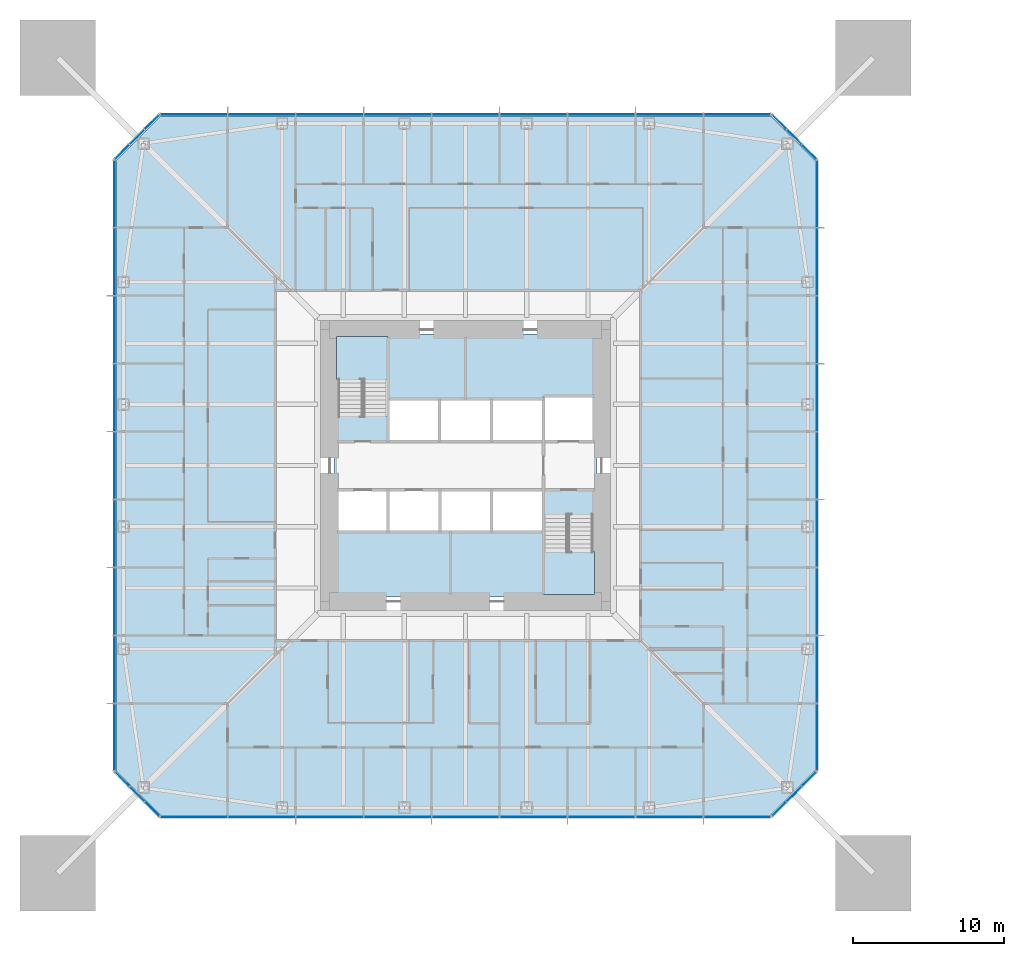
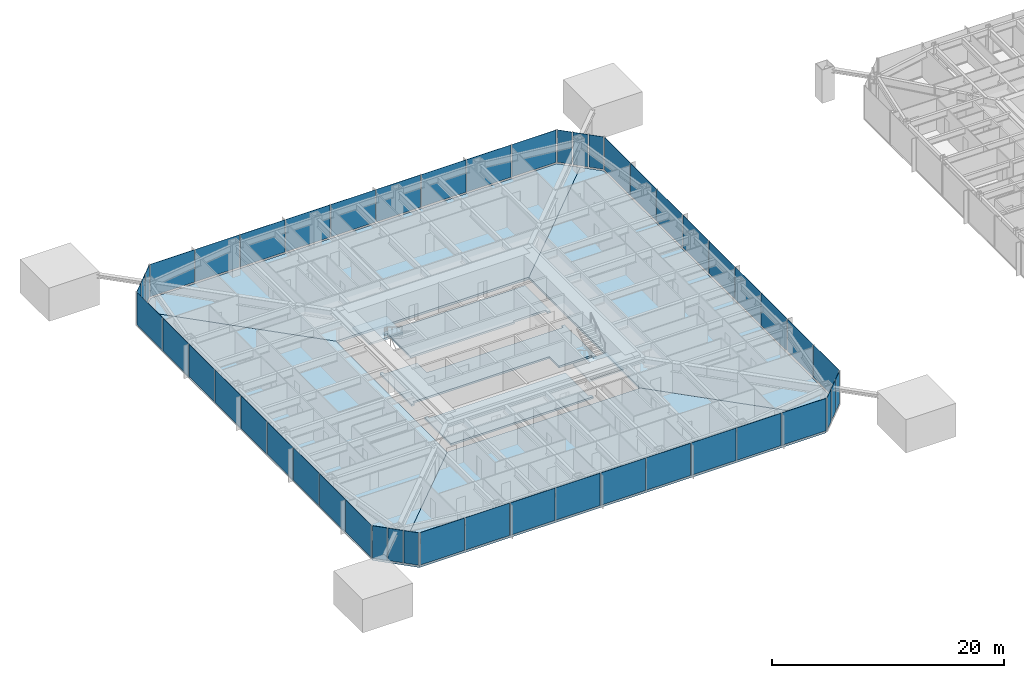
# One storey, part 12 of 26: 48 plates, 9 slabs, 10 elements without a shape of their own.
"""IFC4 building model written with IfcOpenShell, lengths in metres."""

from ifc_helpers import new_model, si_unit, direction, frame, origin, origin_2d, place, context, subcontext, project, spatial, polyline, rectangle, outline, extrude, material, layer, layer_set, constituent, constituent_set, type_object, element, aggregate, save


model = new_model("IFC4")

# Units and contexts
model_context = context("Model", 3, precision=1e-05, world=origin(), true_north=direction((0.0, 1.0)))
body_context = subcontext(model_context, "Body", "Model", "MODEL_VIEW")
ifc_project = project(units=[si_unit("LENGTHUNIT", "METRE"), si_unit("AREAUNIT", "SQUARE_METRE"), si_unit("VOLUMEUNIT", "CUBIC_METRE"), si_unit("PLANEANGLEUNIT", "RADIAN"), si_unit("MASSUNIT", "GRAM", prefix="KILO")], contexts=[model_context])

# Site, building, storey
site_placement = place(None, origin())
site = spatial("IfcSite", under=ifc_project, at=site_placement, CompositionType="ELEMENT")
building_placement = place(site_placement, origin())
building = spatial("IfcBuilding", under=site, at=building_placement, Name="Iwan Alto Co-Living Towers", CompositionType="ELEMENT")
storey_placement = place(building_placement, frame((0.0, 0.0, 50.0)))
storey = spatial("IfcBuildingStorey", under=building, at=storey_placement, Name="L13", CompositionType="ELEMENT", Elevation=50.0)

# Slabs
ifc_material_1 = material(Name="Concrete f'c 30 MPa", Category="concrete")
ifc_layer_1 = layer(ifc_material_1, 0.199951171875)
ifc_layer_set_1 = layer_set([ifc_layer_1], Name="CORE FLOOR SLAB 200")
slab_type_1 = type_object("IfcSlabType", Name="CORE FLOOR SLAB 200", PredefinedType="FLOOR", material=ifc_layer_set_1)
slab_1_placement = place(storey_placement, frame((0.0, 0.0, -0.199951171875)))
element("IfcSlab", 1, at=slab_1_placement, inside=storey, type_object=slab_type_1, Name="T1 core floor L13", PredefinedType="FLOOR", context=body_context, shape_type="SweptSolid", body=[
    extrude(outline(polyline([(8.699951171875, -3.580078125), (8.39990234375, -3.580078125), (8.39990234375, -3.27001953125), (5.14990234375, -3.27001953125), (5.14990234375, -1.60009765625), (1.72509765625, -1.60009765625), (-1.699951171875, -1.60009765625), (-5.125, -1.60009765625), (-8.39990234375, -1.60009765625), (-8.39990234375, -1.909912109375), (-8.699951171875, -1.909912109375), (-8.699951171875, 3.580078125), (-8.39990234375, 3.580078125), (-8.39990234375, 3.27001953125), (-5.14990234375, 3.27001953125), (-5.14990234375, 1.60009765625), (-1.717041015625, 1.60009765625), (1.717041015625, 1.60009765625), (5.14990234375, 1.60009765625), (8.39990234375, 1.60009765625), (8.39990234375, 1.909912109375), (8.699951171875, 1.909912109375), (8.699951171875, -3.580078125)])), origin(), (0.0, 0.0, 1.0), 0.199951171875),
])
slab_2_placement = place(storey_placement, frame((0.0, 0.0, -0.199951171875)))
element("IfcSlab", 2, at=slab_2_placement, inside=storey, type_object=slab_type_1, Name="T1 core floor L13", PredefinedType="FLOOR", context=body_context, shape_type="SweptSolid", body=[
    extrude(outline(polyline([(-1.699951171875, -4.39990234375), (1.72509765625, -4.39990234375), (5.14990234375, -4.39990234375), (5.14990234375, -8.39990234375), (5.4599609375, -8.39990234375), (5.4599609375, -8.699951171875), (-8.699951171875, -8.699951171875), (-8.699951171875, -4.090087890625), (-8.39990234375, -4.090087890625), (-8.39990234375, -4.39990234375), (-5.125, -4.39990234375), (-1.699951171875, -4.39990234375)])), origin(), (0.0, 0.0, 1.0), 0.199951171875),
])
slab_3_placement = place(storey_placement, frame((0.0, 0.0, -0.199951171875)))
element("IfcSlab", 3, at=slab_3_placement, inside=storey, type_object=slab_type_1, Name="T1 core floor L13", PredefinedType="FLOOR", context=body_context, shape_type="SweptSolid", body=[
    extrude(outline(polyline([(1.717041015625, 4.39990234375), (-1.717041015625, 4.39990234375), (-5.14990234375, 4.39990234375), (-5.14990234375, 8.39990234375), (-5.4599609375, 8.39990234375), (-5.4599609375, 8.699951171875), (8.699951171875, 8.699951171875), (8.699951171875, 4.2900390625), (8.39990234375, 4.2900390625), (8.39990234375, 4.60009765625), (5.14990234375, 4.60009765625), (5.14990234375, 4.39990234375), (1.717041015625, 4.39990234375)])), origin(), (0.0, 0.0, 1.0), 0.199951171875),
])

# Curtain wall, plates
ifc_material_2 = material(Name="Bronze aluminium unitised frame", Category="aluminium")
curtain_wall_type_1 = type_object("IfcCurtainWallType", Name="CURTAIN WALL CW-A", PredefinedType="NOTDEFINED", material=ifc_material_2)
curtain_wall_1_placement = place(storey_placement, origin())
curtain_wall_1 = element("IfcCurtainWall", 4, at=curtain_wall_1_placement, inside=storey, type_object=curtain_wall_type_1, Name="T1 curtain wall S L13", PredefinedType="NOTDEFINED")
ifc_material_3 = material(Name="Bronze-tinted insulating glass", Category="glass")
ifc_layer_2 = layer(ifc_material_3, 0.031982421875)
ifc_layer_set_2 = layer_set([ifc_layer_2], Name="CW-A PANEL TINTED IGU 32")
plate_type_1 = type_object("IfcPlateType", Name="CW-A PANEL TINTED IGU 32", PredefinedType="CURTAIN_PANEL", material=ifc_layer_set_2)
plate_1_placement = place(storey_placement, frame((-17.97998046875, -23.25, 0.10009765625), z_axis=(0.0, 0.0, 1.0), x_axis=(1.0, 0.0, 0.0)))
plate_1 = element("IfcPlate", 5, at=plate_1_placement, type_object=plate_type_1, Name="CW-A panel 1.1", PredefinedType="CURTAIN_PANEL", context=body_context, shape_type="SweptSolid", body=[
    extrude(rectangle(XDim=4.3798828125, YDim=0.031982421875, at=origin_2d()), origin(), (0.0, 0.0, 1.0), 3.39990234375),
])
plate_2_placement = place(storey_placement, frame((-13.5, -23.25, 0.10009765625), z_axis=(0.0, 0.0, 1.0), x_axis=(1.0, 0.0, 0.0)))
plate_2 = element("IfcPlate", 6, at=plate_2_placement, type_object=plate_type_1, Name="CW-A panel 2.1", PredefinedType="CURTAIN_PANEL", context=body_context, shape_type="SweptSolid", body=[
    extrude(rectangle(XDim=4.419921875, YDim=0.031982421875, at=origin_2d()), origin(), (0.0, 0.0, 1.0), 3.39990234375),
])
plate_3_placement = place(storey_placement, frame((-9.0, -23.25, 0.10009765625), z_axis=(0.0, 0.0, 1.0), x_axis=(1.0, 0.0, 0.0)))
plate_3 = element("IfcPlate", 7, at=plate_3_placement, type_object=plate_type_1, Name="CW-A panel 3.1", PredefinedType="CURTAIN_PANEL", context=body_context, shape_type="SweptSolid", body=[
    extrude(rectangle(XDim=4.419921875, YDim=0.031982421875, at=origin_2d()), origin(), (0.0, 0.0, 1.0), 3.39990234375),
])
plate_4_placement = place(storey_placement, frame((-4.5, -23.25, 0.10009765625), z_axis=(0.0, 0.0, 1.0), x_axis=(1.0, 0.0, 0.0)))
plate_4 = element("IfcPlate", 8, at=plate_4_placement, type_object=plate_type_1, Name="CW-A panel 4.1", PredefinedType="CURTAIN_PANEL", context=body_context, shape_type="SweptSolid", body=[
    extrude(rectangle(XDim=4.419921875, YDim=0.031982421875, at=origin_2d()), origin(), (0.0, 0.0, 1.0), 3.39990234375),
])
plate_5_placement = place(storey_placement, frame((0.0, -23.25, 0.10009765625), z_axis=(0.0, 0.0, 1.0), x_axis=(1.0, 0.0, 0.0)))
plate_5 = element("IfcPlate", 9, at=plate_5_placement, type_object=plate_type_1, Name="CW-A panel 5.1", PredefinedType="CURTAIN_PANEL", context=body_context, shape_type="SweptSolid", body=[
    extrude(rectangle(XDim=4.419921875, YDim=0.031982421875, at=origin_2d()), origin(), (0.0, 0.0, 1.0), 3.39990234375),
])
plate_6_placement = place(storey_placement, frame((4.5, -23.25, 0.10009765625), z_axis=(0.0, 0.0, 1.0), x_axis=(1.0, 0.0, 0.0)))
plate_6 = element("IfcPlate", 10, at=plate_6_placement, type_object=plate_type_1, Name="CW-A panel 6.1", PredefinedType="CURTAIN_PANEL", context=body_context, shape_type="SweptSolid", body=[
    extrude(rectangle(XDim=4.419921875, YDim=0.031982421875, at=origin_2d()), origin(), (0.0, 0.0, 1.0), 3.39990234375),
])
plate_7_placement = place(storey_placement, frame((9.0, -23.25, 0.10009765625), z_axis=(0.0, 0.0, 1.0), x_axis=(1.0, 0.0, 0.0)))
plate_7 = element("IfcPlate", 11, at=plate_7_placement, type_object=plate_type_1, Name="CW-A panel 7.1", PredefinedType="CURTAIN_PANEL", context=body_context, shape_type="SweptSolid", body=[
    extrude(rectangle(XDim=4.419921875, YDim=0.031982421875, at=origin_2d()), origin(), (0.0, 0.0, 1.0), 3.39990234375),
])
plate_8_placement = place(storey_placement, frame((13.5, -23.25, 0.10009765625), z_axis=(0.0, 0.0, 1.0), x_axis=(1.0, 0.0, 0.0)))
plate_8 = element("IfcPlate", 12, at=plate_8_placement, type_object=plate_type_1, Name="CW-A panel 8.1", PredefinedType="CURTAIN_PANEL", context=body_context, shape_type="SweptSolid", body=[
    extrude(rectangle(XDim=4.419921875, YDim=0.031982421875, at=origin_2d()), origin(), (0.0, 0.0, 1.0), 3.39990234375),
])
plate_9_placement = place(storey_placement, frame((17.97998046875, -23.25, 0.10009765625), z_axis=(0.0, 0.0, 1.0), x_axis=(1.0, 0.0, 0.0)))
plate_9 = element("IfcPlate", 13, at=plate_9_placement, type_object=plate_type_1, Name="CW-A panel 9.1", PredefinedType="CURTAIN_PANEL", context=body_context, shape_type="SweptSolid", body=[
    extrude(rectangle(XDim=4.3798828125, YDim=0.031982421875, at=origin_2d()), origin(), (0.0, 0.0, 1.0), 3.39990234375),
])
aggregate(curtain_wall_1, [plate_1, plate_2, plate_3, plate_4, plate_5, plate_6, plate_7, plate_8, plate_9])

curtain_wall_2_placement = place(storey_placement, origin())
curtain_wall_2 = element("IfcCurtainWall", 14, at=curtain_wall_2_placement, inside=storey, type_object=curtain_wall_type_1, Name="T1 curtain wall E L13", PredefinedType="NOTDEFINED")
plate_10_placement = place(storey_placement, frame((23.25, -17.97998046875, 0.10009765625), z_axis=(0.0, 0.0, 1.0), x_axis=(0.0, 1.0, 0.0)))
plate_10 = element("IfcPlate", 15, at=plate_10_placement, type_object=plate_type_1, Name="CW-A panel 1.1", PredefinedType="CURTAIN_PANEL", context=body_context, shape_type="SweptSolid", body=[
    extrude(rectangle(XDim=4.3798828125, YDim=0.031982421875, at=origin_2d()), origin(), (0.0, 0.0, 1.0), 3.39990234375),
])
plate_11_placement = place(storey_placement, frame((23.25, -13.5, 0.10009765625), z_axis=(0.0, 0.0, 1.0), x_axis=(0.0, 1.0, 0.0)))
plate_11 = element("IfcPlate", 16, at=plate_11_placement, type_object=plate_type_1, Name="CW-A panel 2.1", PredefinedType="CURTAIN_PANEL", context=body_context, shape_type="SweptSolid", body=[
    extrude(rectangle(XDim=4.419921875, YDim=0.031982421875, at=origin_2d()), origin(), (0.0, 0.0, 1.0), 3.39990234375),
])
plate_12_placement = place(storey_placement, frame((23.25, -9.0, 0.10009765625), z_axis=(0.0, 0.0, 1.0), x_axis=(0.0, 1.0, 0.0)))
plate_12 = element("IfcPlate", 17, at=plate_12_placement, type_object=plate_type_1, Name="CW-A panel 3.1", PredefinedType="CURTAIN_PANEL", context=body_context, shape_type="SweptSolid", body=[
    extrude(rectangle(XDim=4.419921875, YDim=0.031982421875, at=origin_2d()), origin(), (0.0, 0.0, 1.0), 3.39990234375),
])
plate_13_placement = place(storey_placement, frame((23.25, -4.5, 0.10009765625), z_axis=(0.0, 0.0, 1.0), x_axis=(0.0, 1.0, 0.0)))
plate_13 = element("IfcPlate", 18, at=plate_13_placement, type_object=plate_type_1, Name="CW-A panel 4.1", PredefinedType="CURTAIN_PANEL", context=body_context, shape_type="SweptSolid", body=[
    extrude(rectangle(XDim=4.419921875, YDim=0.031982421875, at=origin_2d()), origin(), (0.0, 0.0, 1.0), 3.39990234375),
])
plate_14_placement = place(storey_placement, frame((23.25, 0.0, 0.10009765625), z_axis=(0.0, 0.0, 1.0), x_axis=(0.0, 1.0, 0.0)))
plate_14 = element("IfcPlate", 19, at=plate_14_placement, type_object=plate_type_1, Name="CW-A panel 5.1", PredefinedType="CURTAIN_PANEL", context=body_context, shape_type="SweptSolid", body=[
    extrude(rectangle(XDim=4.419921875, YDim=0.031982421875, at=origin_2d()), origin(), (0.0, 0.0, 1.0), 3.39990234375),
])
plate_15_placement = place(storey_placement, frame((23.25, 4.5, 0.10009765625), z_axis=(0.0, 0.0, 1.0), x_axis=(0.0, 1.0, 0.0)))
plate_15 = element("IfcPlate", 20, at=plate_15_placement, type_object=plate_type_1, Name="CW-A panel 6.1", PredefinedType="CURTAIN_PANEL", context=body_context, shape_type="SweptSolid", body=[
    extrude(rectangle(XDim=4.419921875, YDim=0.031982421875, at=origin_2d()), origin(), (0.0, 0.0, 1.0), 3.39990234375),
])
plate_16_placement = place(storey_placement, frame((23.25, 9.0, 0.10009765625), z_axis=(0.0, 0.0, 1.0), x_axis=(0.0, 1.0, 0.0)))
plate_16 = element("IfcPlate", 21, at=plate_16_placement, type_object=plate_type_1, Name="CW-A panel 7.1", PredefinedType="CURTAIN_PANEL", context=body_context, shape_type="SweptSolid", body=[
    extrude(rectangle(XDim=4.419921875, YDim=0.031982421875, at=origin_2d()), origin(), (0.0, 0.0, 1.0), 3.39990234375),
])
plate_17_placement = place(storey_placement, frame((23.25, 13.5, 0.10009765625), z_axis=(0.0, 0.0, 1.0), x_axis=(0.0, 1.0, 0.0)))
plate_17 = element("IfcPlate", 22, at=plate_17_placement, type_object=plate_type_1, Name="CW-A panel 8.1", PredefinedType="CURTAIN_PANEL", context=body_context, shape_type="SweptSolid", body=[
    extrude(rectangle(XDim=4.419921875, YDim=0.031982421875, at=origin_2d()), origin(), (0.0, 0.0, 1.0), 3.39990234375),
])
plate_18_placement = place(storey_placement, frame((23.25, 17.97998046875, 0.10009765625), z_axis=(0.0, 0.0, 1.0), x_axis=(0.0, 1.0, 0.0)))
plate_18 = element("IfcPlate", 23, at=plate_18_placement, type_object=plate_type_1, Name="CW-A panel 9.1", PredefinedType="CURTAIN_PANEL", context=body_context, shape_type="SweptSolid", body=[
    extrude(rectangle(XDim=4.3798828125, YDim=0.031982421875, at=origin_2d()), origin(), (0.0, 0.0, 1.0), 3.39990234375),
])
aggregate(curtain_wall_2, [plate_10, plate_11, plate_12, plate_13, plate_14, plate_15, plate_16, plate_17, plate_18])

curtain_wall_3_placement = place(storey_placement, origin())
curtain_wall_3 = element("IfcCurtainWall", 24, at=curtain_wall_3_placement, inside=storey, type_object=curtain_wall_type_1, Name="T1 curtain wall N L13", PredefinedType="NOTDEFINED")
plate_19_placement = place(storey_placement, frame((17.97998046875, 23.25, 0.10009765625), z_axis=(0.0, 0.0, 1.0), x_axis=(-1.0, 0.0, 0.0)))
plate_19 = element("IfcPlate", 25, at=plate_19_placement, type_object=plate_type_1, Name="CW-A panel 1.1", PredefinedType="CURTAIN_PANEL", context=body_context, shape_type="SweptSolid", body=[
    extrude(rectangle(XDim=4.3798828125, YDim=0.031982421875, at=origin_2d()), origin(), (0.0, 0.0, 1.0), 3.39990234375),
])
plate_20_placement = place(storey_placement, frame((13.5, 23.25, 0.10009765625), z_axis=(0.0, 0.0, 1.0), x_axis=(-1.0, 0.0, 0.0)))
plate_20 = element("IfcPlate", 26, at=plate_20_placement, type_object=plate_type_1, Name="CW-A panel 2.1", PredefinedType="CURTAIN_PANEL", context=body_context, shape_type="SweptSolid", body=[
    extrude(rectangle(XDim=4.419921875, YDim=0.031982421875, at=origin_2d()), origin(), (0.0, 0.0, 1.0), 3.39990234375),
])
plate_21_placement = place(storey_placement, frame((9.0, 23.25, 0.10009765625), z_axis=(0.0, 0.0, 1.0), x_axis=(-1.0, 0.0, 0.0)))
plate_21 = element("IfcPlate", 27, at=plate_21_placement, type_object=plate_type_1, Name="CW-A panel 3.1", PredefinedType="CURTAIN_PANEL", context=body_context, shape_type="SweptSolid", body=[
    extrude(rectangle(XDim=4.419921875, YDim=0.031982421875, at=origin_2d()), origin(), (0.0, 0.0, 1.0), 3.39990234375),
])
plate_22_placement = place(storey_placement, frame((4.5, 23.25, 0.10009765625), z_axis=(0.0, 0.0, 1.0), x_axis=(-1.0, 0.0, 0.0)))
plate_22 = element("IfcPlate", 28, at=plate_22_placement, type_object=plate_type_1, Name="CW-A panel 4.1", PredefinedType="CURTAIN_PANEL", context=body_context, shape_type="SweptSolid", body=[
    extrude(rectangle(XDim=4.419921875, YDim=0.031982421875, at=origin_2d()), origin(), (0.0, 0.0, 1.0), 3.39990234375),
])
plate_23_placement = place(storey_placement, frame((0.0, 23.25, 0.10009765625), z_axis=(0.0, 0.0, 1.0), x_axis=(-1.0, 0.0, 0.0)))
plate_23 = element("IfcPlate", 29, at=plate_23_placement, type_object=plate_type_1, Name="CW-A panel 5.1", PredefinedType="CURTAIN_PANEL", context=body_context, shape_type="SweptSolid", body=[
    extrude(rectangle(XDim=4.419921875, YDim=0.031982421875, at=origin_2d()), origin(), (0.0, 0.0, 1.0), 3.39990234375),
])
plate_24_placement = place(storey_placement, frame((-4.5, 23.25, 0.10009765625), z_axis=(0.0, 0.0, 1.0), x_axis=(-1.0, 0.0, 0.0)))
plate_24 = element("IfcPlate", 30, at=plate_24_placement, type_object=plate_type_1, Name="CW-A panel 6.1", PredefinedType="CURTAIN_PANEL", context=body_context, shape_type="SweptSolid", body=[
    extrude(rectangle(XDim=4.419921875, YDim=0.031982421875, at=origin_2d()), origin(), (0.0, 0.0, 1.0), 3.39990234375),
])
plate_25_placement = place(storey_placement, frame((-9.0, 23.25, 0.10009765625), z_axis=(0.0, 0.0, 1.0), x_axis=(-1.0, 0.0, 0.0)))
plate_25 = element("IfcPlate", 31, at=plate_25_placement, type_object=plate_type_1, Name="CW-A panel 7.1", PredefinedType="CURTAIN_PANEL", context=body_context, shape_type="SweptSolid", body=[
    extrude(rectangle(XDim=4.419921875, YDim=0.031982421875, at=origin_2d()), origin(), (0.0, 0.0, 1.0), 3.39990234375),
])
plate_26_placement = place(storey_placement, frame((-13.5, 23.25, 0.10009765625), z_axis=(0.0, 0.0, 1.0), x_axis=(-1.0, 0.0, 0.0)))
plate_26 = element("IfcPlate", 32, at=plate_26_placement, type_object=plate_type_1, Name="CW-A panel 8.1", PredefinedType="CURTAIN_PANEL", context=body_context, shape_type="SweptSolid", body=[
    extrude(rectangle(XDim=4.419921875, YDim=0.031982421875, at=origin_2d()), origin(), (0.0, 0.0, 1.0), 3.39990234375),
])
plate_27_placement = place(storey_placement, frame((-17.97998046875, 23.25, 0.10009765625), z_axis=(0.0, 0.0, 1.0), x_axis=(-1.0, 0.0, 0.0)))
plate_27 = element("IfcPlate", 33, at=plate_27_placement, type_object=plate_type_1, Name="CW-A panel 9.1", PredefinedType="CURTAIN_PANEL", context=body_context, shape_type="SweptSolid", body=[
    extrude(rectangle(XDim=4.3798828125, YDim=0.031982421875, at=origin_2d()), origin(), (0.0, 0.0, 1.0), 3.39990234375),
])
aggregate(curtain_wall_3, [plate_19, plate_20, plate_21, plate_22, plate_23, plate_24, plate_25, plate_26, plate_27])

curtain_wall_4_placement = place(storey_placement, origin())
curtain_wall_4 = element("IfcCurtainWall", 34, at=curtain_wall_4_placement, inside=storey, type_object=curtain_wall_type_1, Name="T1 curtain wall W L13", PredefinedType="NOTDEFINED")
plate_28_placement = place(storey_placement, frame((-23.25, 17.97998046875, 0.10009765625), z_axis=(0.0, 0.0, 1.0), x_axis=(0.0, -1.0, 0.0)))
plate_28 = element("IfcPlate", 35, at=plate_28_placement, type_object=plate_type_1, Name="CW-A panel 1.1", PredefinedType="CURTAIN_PANEL", context=body_context, shape_type="SweptSolid", body=[
    extrude(rectangle(XDim=4.3798828125, YDim=0.031982421875, at=origin_2d()), origin(), (0.0, 0.0, 1.0), 3.39990234375),
])
plate_29_placement = place(storey_placement, frame((-23.25, 13.5, 0.10009765625), z_axis=(0.0, 0.0, 1.0), x_axis=(0.0, -1.0, 0.0)))
plate_29 = element("IfcPlate", 36, at=plate_29_placement, type_object=plate_type_1, Name="CW-A panel 2.1", PredefinedType="CURTAIN_PANEL", context=body_context, shape_type="SweptSolid", body=[
    extrude(rectangle(XDim=4.419921875, YDim=0.031982421875, at=origin_2d()), origin(), (0.0, 0.0, 1.0), 3.39990234375),
])
plate_30_placement = place(storey_placement, frame((-23.25, 9.0, 0.10009765625), z_axis=(0.0, 0.0, 1.0), x_axis=(0.0, -1.0, 0.0)))
plate_30 = element("IfcPlate", 37, at=plate_30_placement, type_object=plate_type_1, Name="CW-A panel 3.1", PredefinedType="CURTAIN_PANEL", context=body_context, shape_type="SweptSolid", body=[
    extrude(rectangle(XDim=4.419921875, YDim=0.031982421875, at=origin_2d()), origin(), (0.0, 0.0, 1.0), 3.39990234375),
])
plate_31_placement = place(storey_placement, frame((-23.25, 4.5, 0.10009765625), z_axis=(0.0, 0.0, 1.0), x_axis=(0.0, -1.0, 0.0)))
plate_31 = element("IfcPlate", 38, at=plate_31_placement, type_object=plate_type_1, Name="CW-A panel 4.1", PredefinedType="CURTAIN_PANEL", context=body_context, shape_type="SweptSolid", body=[
    extrude(rectangle(XDim=4.419921875, YDim=0.031982421875, at=origin_2d()), origin(), (0.0, 0.0, 1.0), 3.39990234375),
])
plate_32_placement = place(storey_placement, frame((-23.25, 0.0, 0.10009765625), z_axis=(0.0, 0.0, 1.0), x_axis=(0.0, -1.0, 0.0)))
plate_32 = element("IfcPlate", 39, at=plate_32_placement, type_object=plate_type_1, Name="CW-A panel 5.1", PredefinedType="CURTAIN_PANEL", context=body_context, shape_type="SweptSolid", body=[
    extrude(rectangle(XDim=4.419921875, YDim=0.031982421875, at=origin_2d()), origin(), (0.0, 0.0, 1.0), 3.39990234375),
])
plate_33_placement = place(storey_placement, frame((-23.25, -4.5, 0.10009765625), z_axis=(0.0, 0.0, 1.0), x_axis=(0.0, -1.0, 0.0)))
plate_33 = element("IfcPlate", 40, at=plate_33_placement, type_object=plate_type_1, Name="CW-A panel 6.1", PredefinedType="CURTAIN_PANEL", context=body_context, shape_type="SweptSolid", body=[
    extrude(rectangle(XDim=4.419921875, YDim=0.031982421875, at=origin_2d()), origin(), (0.0, 0.0, 1.0), 3.39990234375),
])
plate_34_placement = place(storey_placement, frame((-23.25, -9.0, 0.10009765625), z_axis=(0.0, 0.0, 1.0), x_axis=(0.0, -1.0, 0.0)))
plate_34 = element("IfcPlate", 41, at=plate_34_placement, type_object=plate_type_1, Name="CW-A panel 7.1", PredefinedType="CURTAIN_PANEL", context=body_context, shape_type="SweptSolid", body=[
    extrude(rectangle(XDim=4.419921875, YDim=0.031982421875, at=origin_2d()), origin(), (0.0, 0.0, 1.0), 3.39990234375),
])
plate_35_placement = place(storey_placement, frame((-23.25, -13.5, 0.10009765625), z_axis=(0.0, 0.0, 1.0), x_axis=(0.0, -1.0, 0.0)))
plate_35 = element("IfcPlate", 42, at=plate_35_placement, type_object=plate_type_1, Name="CW-A panel 8.1", PredefinedType="CURTAIN_PANEL", context=body_context, shape_type="SweptSolid", body=[
    extrude(rectangle(XDim=4.419921875, YDim=0.031982421875, at=origin_2d()), origin(), (0.0, 0.0, 1.0), 3.39990234375),
])
plate_36_placement = place(storey_placement, frame((-23.25, -17.97998046875, 0.10009765625), z_axis=(0.0, 0.0, 1.0), x_axis=(0.0, -1.0, 0.0)))
plate_36 = element("IfcPlate", 43, at=plate_36_placement, type_object=plate_type_1, Name="CW-A panel 9.1", PredefinedType="CURTAIN_PANEL", context=body_context, shape_type="SweptSolid", body=[
    extrude(rectangle(XDim=4.3798828125, YDim=0.031982421875, at=origin_2d()), origin(), (0.0, 0.0, 1.0), 3.39990234375),
])
aggregate(curtain_wall_4, [plate_28, plate_29, plate_30, plate_31, plate_32, plate_33, plate_34, plate_35, plate_36])

ifc_material_4 = material(Name="Bronze aluminium unitised frame", Category="aluminium")
curtain_wall_type_2 = type_object("IfcCurtainWallType", Name="CURTAIN WALL CW-B", PredefinedType="NOTDEFINED", material=ifc_material_4)
curtain_wall_5_placement = place(storey_placement, origin())
curtain_wall_5 = element("IfcCurtainWall", 44, at=curtain_wall_5_placement, inside=storey, type_object=curtain_wall_type_2, Name="T1 chamfer curtain wall SE L13", PredefinedType="NOTDEFINED")
ifc_material_5 = material(Name="Bronze-tinted insulating glass", Category="glass")
ifc_layer_3 = layer(ifc_material_5, 0.031982421875)
ifc_layer_set_3 = layer_set([ifc_layer_3], Name="CW-B PANEL TINTED IGU 32")
plate_type_2 = type_object("IfcPlateType", Name="CW-B PANEL TINTED IGU 32", PredefinedType="CURTAIN_PANEL", material=ifc_layer_set_3)
plate_37_placement = place(storey_placement, frame((20.76416015625, -22.73583984375, 0.10009765625), z_axis=(0.0, 0.0, 1.0), x_axis=(0.707106781187, 0.707106781187, 0.0)))
plate_37 = element("IfcPlate", 45, at=plate_37_placement, type_object=plate_type_2, Name="CW-B panel 1.1", PredefinedType="CURTAIN_PANEL", context=body_context, shape_type="SweptSolid", body=[
    extrude(rectangle(XDim=1.294189453125, YDim=0.031982421875, at=origin_2d()), origin(), (0.0, 0.0, 1.0), 3.39990234375),
])
plate_38_placement = place(storey_placement, frame((21.75, -21.75, 0.10009765625), z_axis=(0.0, 0.0, 1.0), x_axis=(0.707106781187, 0.707106781187, 0.0)))
plate_38 = element("IfcPlate", 46, at=plate_38_placement, type_object=plate_type_2, Name="CW-B panel 2.1", PredefinedType="CURTAIN_PANEL", context=body_context, shape_type="SweptSolid", body=[
    extrude(rectangle(XDim=1.334228515625, YDim=0.031982421875, at=origin_2d()), origin(), (0.0, 0.0, 1.0), 3.39990234375),
])
plate_39_placement = place(storey_placement, frame((22.73583984375, -20.76416015625, 0.10009765625), z_axis=(0.0, 0.0, 1.0), x_axis=(0.707106781187, 0.707106781187, 0.0)))
plate_39 = element("IfcPlate", 47, at=plate_39_placement, type_object=plate_type_2, Name="CW-B panel 3.1", PredefinedType="CURTAIN_PANEL", context=body_context, shape_type="SweptSolid", body=[
    extrude(rectangle(XDim=1.294189453125, YDim=0.031982421875, at=origin_2d()), origin(), (0.0, 0.0, 1.0), 3.39990234375),
])
aggregate(curtain_wall_5, [plate_37, plate_38, plate_39])

curtain_wall_6_placement = place(storey_placement, origin())
curtain_wall_6 = element("IfcCurtainWall", 48, at=curtain_wall_6_placement, inside=storey, type_object=curtain_wall_type_2, Name="T1 chamfer curtain wall NE L13", PredefinedType="NOTDEFINED")
plate_40_placement = place(storey_placement, frame((22.73583984375, 20.76416015625, 0.10009765625), z_axis=(0.0, 0.0, 1.0), x_axis=(-0.707106781187, 0.707106781187, 0.0)))
plate_40 = element("IfcPlate", 49, at=plate_40_placement, type_object=plate_type_2, Name="CW-B panel 1.1", PredefinedType="CURTAIN_PANEL", context=body_context, shape_type="SweptSolid", body=[
    extrude(rectangle(XDim=1.294189453125, YDim=0.031982421875, at=origin_2d()), origin(), (0.0, 0.0, 1.0), 3.39990234375),
])
plate_41_placement = place(storey_placement, frame((21.75, 21.75, 0.10009765625), z_axis=(0.0, 0.0, 1.0), x_axis=(-0.707106781187, 0.707106781187, 0.0)))
plate_41 = element("IfcPlate", 50, at=plate_41_placement, type_object=plate_type_2, Name="CW-B panel 2.1", PredefinedType="CURTAIN_PANEL", context=body_context, shape_type="SweptSolid", body=[
    extrude(rectangle(XDim=1.334228515625, YDim=0.031982421875, at=origin_2d()), origin(), (0.0, 0.0, 1.0), 3.39990234375),
])
plate_42_placement = place(storey_placement, frame((20.76416015625, 22.73583984375, 0.10009765625), z_axis=(0.0, 0.0, 1.0), x_axis=(-0.707106781187, 0.707106781187, 0.0)))
plate_42 = element("IfcPlate", 51, at=plate_42_placement, type_object=plate_type_2, Name="CW-B panel 3.1", PredefinedType="CURTAIN_PANEL", context=body_context, shape_type="SweptSolid", body=[
    extrude(rectangle(XDim=1.294189453125, YDim=0.031982421875, at=origin_2d()), origin(), (0.0, 0.0, 1.0), 3.39990234375),
])
aggregate(curtain_wall_6, [plate_40, plate_41, plate_42])

curtain_wall_7_placement = place(storey_placement, origin())
curtain_wall_7 = element("IfcCurtainWall", 52, at=curtain_wall_7_placement, inside=storey, type_object=curtain_wall_type_2, Name="T1 chamfer curtain wall NW L13", PredefinedType="NOTDEFINED")
plate_43_placement = place(storey_placement, frame((-20.76416015625, 22.73583984375, 0.10009765625), z_axis=(0.0, 0.0, 1.0), x_axis=(-0.707106781187, -0.707106781187, 0.0)))
plate_43 = element("IfcPlate", 53, at=plate_43_placement, type_object=plate_type_2, Name="CW-B panel 1.1", PredefinedType="CURTAIN_PANEL", context=body_context, shape_type="SweptSolid", body=[
    extrude(rectangle(XDim=1.294189453125, YDim=0.031982421875, at=origin_2d()), origin(), (0.0, 0.0, 1.0), 3.39990234375),
])
plate_44_placement = place(storey_placement, frame((-21.75, 21.75, 0.10009765625), z_axis=(0.0, 0.0, 1.0), x_axis=(-0.707106781187, -0.707106781187, 0.0)))
plate_44 = element("IfcPlate", 54, at=plate_44_placement, type_object=plate_type_2, Name="CW-B panel 2.1", PredefinedType="CURTAIN_PANEL", context=body_context, shape_type="SweptSolid", body=[
    extrude(rectangle(XDim=1.334228515625, YDim=0.031982421875, at=origin_2d()), origin(), (0.0, 0.0, 1.0), 3.39990234375),
])
plate_45_placement = place(storey_placement, frame((-22.73583984375, 20.76416015625, 0.10009765625), z_axis=(0.0, 0.0, 1.0), x_axis=(-0.707106781187, -0.707106781187, 0.0)))
plate_45 = element("IfcPlate", 55, at=plate_45_placement, type_object=plate_type_2, Name="CW-B panel 3.1", PredefinedType="CURTAIN_PANEL", context=body_context, shape_type="SweptSolid", body=[
    extrude(rectangle(XDim=1.294189453125, YDim=0.031982421875, at=origin_2d()), origin(), (0.0, 0.0, 1.0), 3.39990234375),
])
aggregate(curtain_wall_7, [plate_43, plate_44, plate_45])

curtain_wall_8_placement = place(storey_placement, origin())
curtain_wall_8 = element("IfcCurtainWall", 56, at=curtain_wall_8_placement, inside=storey, type_object=curtain_wall_type_2, Name="T1 chamfer curtain wall SW L13", PredefinedType="NOTDEFINED")
plate_46_placement = place(storey_placement, frame((-22.73583984375, -20.76416015625, 0.10009765625), z_axis=(0.0, 0.0, 1.0), x_axis=(0.707106781187, -0.707106781187, 0.0)))
plate_46 = element("IfcPlate", 57, at=plate_46_placement, type_object=plate_type_2, Name="CW-B panel 1.1", PredefinedType="CURTAIN_PANEL", context=body_context, shape_type="SweptSolid", body=[
    extrude(rectangle(XDim=1.294189453125, YDim=0.031982421875, at=origin_2d()), origin(), (0.0, 0.0, 1.0), 3.39990234375),
])
plate_47_placement = place(storey_placement, frame((-21.75, -21.75, 0.10009765625), z_axis=(0.0, 0.0, 1.0), x_axis=(0.707106781187, -0.707106781187, 0.0)))
plate_47 = element("IfcPlate", 58, at=plate_47_placement, type_object=plate_type_2, Name="CW-B panel 2.1", PredefinedType="CURTAIN_PANEL", context=body_context, shape_type="SweptSolid", body=[
    extrude(rectangle(XDim=1.334228515625, YDim=0.031982421875, at=origin_2d()), origin(), (0.0, 0.0, 1.0), 3.39990234375),
])
plate_48_placement = place(storey_placement, frame((-20.76416015625, -22.73583984375, 0.10009765625), z_axis=(0.0, 0.0, 1.0), x_axis=(0.707106781187, -0.707106781187, 0.0)))
plate_48 = element("IfcPlate", 59, at=plate_48_placement, type_object=plate_type_2, Name="CW-B panel 3.1", PredefinedType="CURTAIN_PANEL", context=body_context, shape_type="SweptSolid", body=[
    extrude(rectangle(XDim=1.294189453125, YDim=0.031982421875, at=origin_2d()), origin(), (0.0, 0.0, 1.0), 3.39990234375),
])
aggregate(curtain_wall_8, [plate_46, plate_47, plate_48])

# Stair, slab
ifc_material_6 = material(Name="Steel ASTM A36", Category="steel")
ifc_constituent_1 = constituent(ifc_material_6, Name="Stringers", Category="LoadBearing")
ifc_material_7 = material(Name="Concrete f'c 30 MPa", Category="concrete")
ifc_constituent_2 = constituent(ifc_material_7, Name="Tread fill", Category="Finish")
ifc_constituent_set = constituent_set(constituents=[ifc_constituent_1, ifc_constituent_2], Name="STAIR 3500 TWO-FLIGHT T1 CORE")
stair_type = type_object("IfcStairType", Name="STAIR 3500 TWO-FLIGHT T1 CORE", PredefinedType="HALF_TURN_STAIR", material=ifc_constituent_set)
stair_1_placement = place(storey_placement, origin())
stair_1 = element("IfcStair", 60, at=stair_1_placement, inside=storey, type_object=stair_type, Name="Stair T1-S1 L13 to L14", PredefinedType="HALF_TURN_STAIR")
ifc_material_8 = material(Name="Concrete f'c 30 MPa", Category="concrete")
ifc_layer_4 = layer(ifc_material_8, 0.199951171875)
ifc_layer_set_4 = layer_set([ifc_layer_4], Name="STAIR LANDING 200")
slab_type_2 = type_object("IfcSlabType", Name="STAIR LANDING 200", PredefinedType="LANDING", material=ifc_layer_set_4)
slab_4_placement = place(storey_placement, frame((0.0, 0.0, 1.550048828125)))
slab_4 = element("IfcSlab", 61, at=slab_4_placement, type_object=slab_type_2, Name="T1-S1 landing 1", PredefinedType="LANDING", context=body_context, shape_type="SweptSolid", body=[
    extrude(outline(polyline([(-8.550048828125, 5.68994140625), (-8.550048828125, 8.550048828125), (-5.14990234375, 8.550048828125), (-5.14990234375, 5.68994140625), (-8.550048828125, 5.68994140625)])), origin(), (0.0, 0.0, 1.0), 0.199951171875),
])
aggregate(stair_1, [slab_4])

stair_2_placement = place(storey_placement, origin())
stair_2 = element("IfcStair", 62, at=stair_2_placement, inside=storey, type_object=stair_type, Name="Stair T1-S2 L13 to L14", PredefinedType="HALF_TURN_STAIR")
slab_5_placement = place(storey_placement, frame((0.0, 0.0, 1.550048828125)))
slab_5 = element("IfcSlab", 63, at=slab_5_placement, type_object=slab_type_2, Name="T1-S2 landing 1", PredefinedType="LANDING", context=body_context, shape_type="SweptSolid", body=[
    extrude(outline(polyline([(5.14990234375, -5.68994140625), (5.14990234375, -8.550048828125), (8.550048828125, -8.550048828125), (8.550048828125, -5.68994140625), (5.14990234375, -5.68994140625)])), origin(), (0.0, 0.0, 1.0), 0.199951171875),
])
aggregate(stair_2, [slab_5])

# Slabs
ifc_material_9 = material(Name="Concrete f'c 30 MPa", Category="concrete")
ifc_layer_5 = layer(ifc_material_9, 0.22998046875)
ifc_layer_set_5 = layer_set([ifc_layer_5], Name="T1 FLOOR SLAB 230")
slab_type_3 = type_object("IfcSlabType", Name="T1 FLOOR SLAB 230", PredefinedType="FLOOR", material=ifc_layer_set_5)
slab_6_placement = place(storey_placement, frame((0.0, 0.0, -0.22998046875)))
element("IfcSlab", 64, at=slab_6_placement, inside=storey, type_object=slab_type_3, Name="T1 floor slab L13 S pour", PredefinedType="FLOOR", context=body_context, shape_type="SweptSolid", body=[
    extrude(outline(polyline([(20.19140625, -23.14990234375), (-20.19140625, -23.14990234375), (-21.670654296875, -21.670654296875), (-9.60009765625, -9.60009765625), (9.60009765625, -9.60009765625), (21.670654296875, -21.670654296875), (20.19140625, -23.14990234375)])), origin(), (0.0, 0.0, 1.0), 0.22998046875),
])
slab_7_placement = place(storey_placement, frame((0.0, 0.0, -0.22998046875)))
element("IfcSlab", 65, at=slab_7_placement, inside=storey, type_object=slab_type_3, Name="T1 floor slab L13 E pour", PredefinedType="FLOOR", context=body_context, shape_type="SweptSolid", body=[
    extrude(outline(polyline([(23.14990234375, 20.19140625), (23.14990234375, -20.19140625), (21.670654296875, -21.670654296875), (9.60009765625, -9.60009765625), (9.60009765625, 9.60009765625), (21.670654296875, 21.670654296875), (23.14990234375, 20.19140625)])), origin(), (0.0, 0.0, 1.0), 0.22998046875),
])
slab_8_placement = place(storey_placement, frame((0.0, 0.0, -0.22998046875)))
element("IfcSlab", 66, at=slab_8_placement, inside=storey, type_object=slab_type_3, Name="T1 floor slab L13 N pour", PredefinedType="FLOOR", context=body_context, shape_type="SweptSolid", body=[
    extrude(outline(polyline([(-20.19140625, 23.14990234375), (20.19140625, 23.14990234375), (21.670654296875, 21.670654296875), (9.60009765625, 9.60009765625), (-9.60009765625, 9.60009765625), (-21.670654296875, 21.670654296875), (-20.19140625, 23.14990234375)])), origin(), (0.0, 0.0, 1.0), 0.22998046875),
])
slab_9_placement = place(storey_placement, frame((0.0, 0.0, -0.22998046875)))
element("IfcSlab", 67, at=slab_9_placement, inside=storey, type_object=slab_type_3, Name="T1 floor slab L13 W pour", PredefinedType="FLOOR", context=body_context, shape_type="SweptSolid", body=[
    extrude(outline(polyline([(-23.14990234375, 20.19140625), (-21.670654296875, 21.670654296875), (-9.60009765625, 9.60009765625), (-9.60009765625, -9.60009765625), (-21.670654296875, -21.670654296875), (-23.14990234375, -20.19140625), (-23.14990234375, 20.19140625)])), origin(), (0.0, 0.0, 1.0), 0.22998046875),
])

save(model, "model.ifc")
